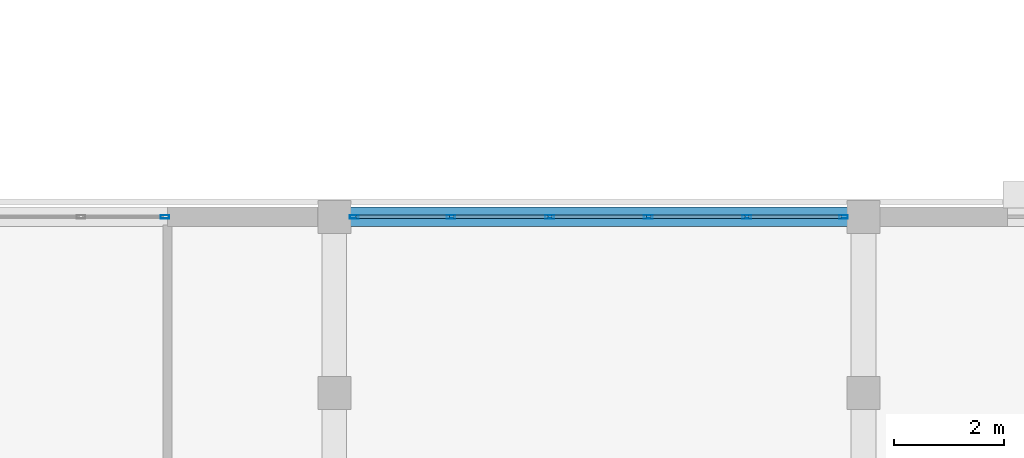
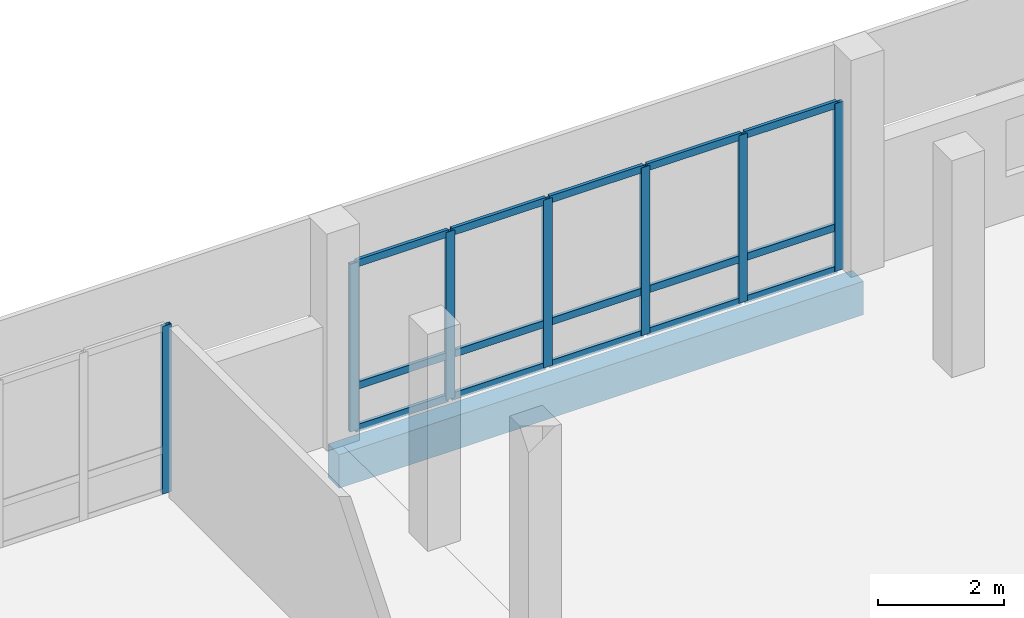
# One storey, part 22 of 93: 22 members, 1 beam, 2 elements without a shape of their own.
"""IFC4 building model written with IfcOpenShell, lengths in metres."""

from ifc_helpers import new_model, si_unit, direction, frame, origin, origin_2d, place, context, subcontext, project, spatial, rectangle, hollow_rectangle, extrude, material, material_profile, profile_set, type_object, element, aggregate, save


model = new_model("IFC4")

# Units and contexts
model_context = context("Model", 3, precision=1e-05, world=origin(), true_north=direction((0.0, 1.0)))
body_context = subcontext(model_context, "Body", "Model", "MODEL_VIEW")
ifc_project = project(units=[si_unit("LENGTHUNIT", "METRE"), si_unit("AREAUNIT", "SQUARE_METRE"), si_unit("VOLUMEUNIT", "CUBIC_METRE"), si_unit("PLANEANGLEUNIT", "RADIAN"), si_unit("MASSUNIT", "GRAM", prefix="KILO")], contexts=[model_context])

# Site, building, storey
site_placement = place(None, origin())
site = spatial("IfcSite", under=ifc_project, at=site_placement, CompositionType="ELEMENT")
building_placement = place(site_placement, origin())
building = spatial("IfcBuilding", under=site, at=building_placement, Name="Vondelvale Polytechnic", CompositionType="ELEMENT")
storey_placement = place(building_placement, frame((0.0, 0.0, 18.0)))
storey = spatial("IfcBuildingStorey", under=building, at=storey_placement, Name="L04", CompositionType="ELEMENT", Elevation=18.0)

# Curtain wall, member
ifc_material_1 = material(Name="Anodised extruded aluminium 6063-T6", Category="aluminium")
curtain_wall_type = type_object("IfcCurtainWallType", Name="CW-STUDIO-NORTH", PredefinedType="NOTDEFINED", material=ifc_material_1)
curtain_wall_1_placement = place(storey_placement, origin())
curtain_wall_1 = element("IfcCurtainWall", 1, at=curtain_wall_1_placement, inside=storey, type_object=curtain_wall_type, Name="L04 architectural curtain wall CW-01-038", PredefinedType="NOTDEFINED")
ifc_material_profile_1 = material_profile(ifc_material_1, hollow_rectangle(XDim=0.06494140625, YDim=0.159912109375, WallThickness=0.0048828125, at=origin_2d()), Name="CW-MUL-160x65")
ifc_profile_set_1 = profile_set([ifc_material_profile_1], Name="Anodised extruded aluminium 6063-T6")
member_type_1 = type_object("IfcMemberType", Name="CW-MUL-65x160", PredefinedType="MULLION", material=ifc_profile_set_1)
member_1_placement = place(storey_placement, frame((16.12744140625, 40.800048828125, 0.0), z_axis=(0.0, 0.0, 1.0), x_axis=(0.0, 1.0, 0.0)))
member_1 = element("IfcMember", 2, at=member_1_placement, type_object=member_type_1, Name="CW-01-038 mullion 5", PredefinedType="MULLION", context=body_context, shape_type="SweptSolid", body=[
    extrude(hollow_rectangle(XDim=0.06494140625, YDim=0.159912109375, WallThickness=0.0048828125, at=origin_2d()), origin(), (0.0, 0.0, 1.0), 3.25),
])
aggregate(curtain_wall_1, [member_1])

# Curtain wall, members
curtain_wall_2_placement = place(storey_placement, origin())
curtain_wall_2 = element("IfcCurtainWall", 3, at=curtain_wall_2_placement, inside=storey, type_object=curtain_wall_type, Name="L04 architectural curtain wall CW-01-039", PredefinedType="NOTDEFINED")
member_2_placement = place(storey_placement, frame((19.5625, 40.800048828125, 0.0), z_axis=(0.0, 0.0, 1.0), x_axis=(0.0, 1.0, 0.0)))
member_2 = element("IfcMember", 4, at=member_2_placement, type_object=member_type_1, Name="CW-01-039 mullion 1", PredefinedType="MULLION", context=body_context, shape_type="SweptSolid", body=[
    extrude(hollow_rectangle(XDim=0.06494140625, YDim=0.159912109375, WallThickness=0.0048828125, at=origin_2d()), origin(), (0.0, 0.0, 1.0), 3.25),
])
member_3_placement = place(storey_placement, frame((21.318115234375, 40.800048828125, 0.0), z_axis=(0.0, 0.0, 1.0), x_axis=(0.0, 1.0, 0.0)))
member_3 = element("IfcMember", 5, at=member_3_placement, type_object=member_type_1, Name="CW-01-039 mullion 2", PredefinedType="MULLION", context=body_context, shape_type="SweptSolid", body=[
    extrude(hollow_rectangle(XDim=0.06494140625, YDim=0.159912109375, WallThickness=0.0048828125, at=origin_2d()), origin(), (0.0, 0.0, 1.0), 3.25),
])
member_4_placement = place(storey_placement, frame((23.10595703125, 40.800048828125, 0.0), z_axis=(0.0, 0.0, 1.0), x_axis=(0.0, 1.0, 0.0)))
member_4 = element("IfcMember", 6, at=member_4_placement, type_object=member_type_1, Name="CW-01-039 mullion 3", PredefinedType="MULLION", context=body_context, shape_type="SweptSolid", body=[
    extrude(hollow_rectangle(XDim=0.06494140625, YDim=0.159912109375, WallThickness=0.0048828125, at=origin_2d()), origin(), (0.0, 0.0, 1.0), 3.25),
])
member_5_placement = place(storey_placement, frame((24.89404296875, 40.800048828125, 0.0), z_axis=(0.0, 0.0, 1.0), x_axis=(0.0, 1.0, 0.0)))
member_5 = element("IfcMember", 7, at=member_5_placement, type_object=member_type_1, Name="CW-01-039 mullion 4", PredefinedType="MULLION", context=body_context, shape_type="SweptSolid", body=[
    extrude(hollow_rectangle(XDim=0.06494140625, YDim=0.159912109375, WallThickness=0.0048828125, at=origin_2d()), origin(), (0.0, 0.0, 1.0), 3.25),
])
member_6_placement = place(storey_placement, frame((26.681884765625, 40.800048828125, 0.0), z_axis=(0.0, 0.0, 1.0), x_axis=(0.0, 1.0, 0.0)))
member_6 = element("IfcMember", 8, at=member_6_placement, type_object=member_type_1, Name="CW-01-039 mullion 5", PredefinedType="MULLION", context=body_context, shape_type="SweptSolid", body=[
    extrude(hollow_rectangle(XDim=0.06494140625, YDim=0.159912109375, WallThickness=0.0048828125, at=origin_2d()), origin(), (0.0, 0.0, 1.0), 3.25),
])
member_7_placement = place(storey_placement, frame((28.4375, 40.800048828125, 0.0), z_axis=(0.0, 0.0, 1.0), x_axis=(0.0, 1.0, 0.0)))
member_7 = element("IfcMember", 9, at=member_7_placement, type_object=member_type_1, Name="CW-01-039 mullion 6", PredefinedType="MULLION", context=body_context, shape_type="SweptSolid", body=[
    extrude(hollow_rectangle(XDim=0.06494140625, YDim=0.159912109375, WallThickness=0.0048828125, at=origin_2d()), origin(), (0.0, 0.0, 1.0), 3.25),
])
ifc_material_profile_2 = material_profile(ifc_material_1, hollow_rectangle(XDim=0.06005859375, YDim=0.139892578125, WallThickness=0.00341796875, at=origin_2d()), Name="CW-TRN-140x60")
ifc_profile_set_2 = profile_set([ifc_material_profile_2], Name="Anodised extruded aluminium 6063-T6")
member_type_2 = type_object("IfcMemberType", Name="CW-TRN-60x140", PredefinedType="USERDEFINED", material=ifc_profile_set_2)
member_8_placement = place(storey_placement, frame((19.594970703125, 40.800048828125, 0.030029296875), z_axis=(1.0, 0.0, 0.0), x_axis=(0.0, 1.0, 0.0)))
member_8 = element("IfcMember", 10, at=member_8_placement, type_object=member_type_2, Name="CW-01-039 transom 1.1", ObjectType="TRANSOM", PredefinedType="USERDEFINED", context=body_context, shape_type="SweptSolid", body=[
    extrude(hollow_rectangle(XDim=0.06005859375, YDim=0.139892578125, WallThickness=0.00341796875, at=origin_2d()), origin(), (0.0, 0.0, 1.0), 1.6904296875),
])
member_9_placement = place(storey_placement, frame((19.594970703125, 40.800048828125, 0.85009765625), z_axis=(1.0, 0.0, 0.0), x_axis=(0.0, 1.0, 0.0)))
member_9 = element("IfcMember", 11, at=member_9_placement, type_object=member_type_2, Name="CW-01-039 transom 1.2", ObjectType="TRANSOM", PredefinedType="USERDEFINED", context=body_context, shape_type="SweptSolid", body=[
    extrude(hollow_rectangle(XDim=0.06005859375, YDim=0.139892578125, WallThickness=0.00341796875, at=origin_2d()), origin(), (0.0, 0.0, 1.0), 1.6904296875),
])
member_10_placement = place(storey_placement, frame((19.594970703125, 40.800048828125, 3.219970703125), z_axis=(1.0, 0.0, 0.0), x_axis=(0.0, 1.0, 0.0)))
member_10 = element("IfcMember", 12, at=member_10_placement, type_object=member_type_2, Name="CW-01-039 transom 1.3", ObjectType="TRANSOM", PredefinedType="USERDEFINED", context=body_context, shape_type="SweptSolid", body=[
    extrude(hollow_rectangle(XDim=0.06005859375, YDim=0.139892578125, WallThickness=0.00341796875, at=origin_2d()), origin(), (0.0, 0.0, 1.0), 1.6904296875),
])
member_11_placement = place(storey_placement, frame((21.3505859375, 40.800048828125, 0.030029296875), z_axis=(1.0, 0.0, 0.0), x_axis=(0.0, 1.0, 0.0)))
member_11 = element("IfcMember", 13, at=member_11_placement, type_object=member_type_2, Name="CW-01-039 transom 2.1", ObjectType="TRANSOM", PredefinedType="USERDEFINED", context=body_context, shape_type="SweptSolid", body=[
    extrude(hollow_rectangle(XDim=0.06005859375, YDim=0.139892578125, WallThickness=0.00341796875, at=origin_2d()), origin(), (0.0, 0.0, 1.0), 1.722900390625),
])
member_12_placement = place(storey_placement, frame((21.3505859375, 40.800048828125, 0.85009765625), z_axis=(1.0, 0.0, 0.0), x_axis=(0.0, 1.0, 0.0)))
member_12 = element("IfcMember", 14, at=member_12_placement, type_object=member_type_2, Name="CW-01-039 transom 2.2", ObjectType="TRANSOM", PredefinedType="USERDEFINED", context=body_context, shape_type="SweptSolid", body=[
    extrude(hollow_rectangle(XDim=0.06005859375, YDim=0.139892578125, WallThickness=0.00341796875, at=origin_2d()), origin(), (0.0, 0.0, 1.0), 1.722900390625),
])
member_13_placement = place(storey_placement, frame((21.3505859375, 40.800048828125, 3.219970703125), z_axis=(1.0, 0.0, 0.0), x_axis=(0.0, 1.0, 0.0)))
member_13 = element("IfcMember", 15, at=member_13_placement, type_object=member_type_2, Name="CW-01-039 transom 2.3", ObjectType="TRANSOM", PredefinedType="USERDEFINED", context=body_context, shape_type="SweptSolid", body=[
    extrude(hollow_rectangle(XDim=0.06005859375, YDim=0.139892578125, WallThickness=0.00341796875, at=origin_2d()), origin(), (0.0, 0.0, 1.0), 1.722900390625),
])
member_14_placement = place(storey_placement, frame((23.138427734375, 40.800048828125, 0.030029296875), z_axis=(1.0, 0.0, 0.0), x_axis=(0.0, 1.0, 0.0)))
member_14 = element("IfcMember", 16, at=member_14_placement, type_object=member_type_2, Name="CW-01-039 transom 3.1", ObjectType="TRANSOM", PredefinedType="USERDEFINED", context=body_context, shape_type="SweptSolid", body=[
    extrude(hollow_rectangle(XDim=0.06005859375, YDim=0.139892578125, WallThickness=0.00341796875, at=origin_2d()), origin(), (0.0, 0.0, 1.0), 1.72314453125),
])
member_15_placement = place(storey_placement, frame((23.138427734375, 40.800048828125, 0.85009765625), z_axis=(1.0, 0.0, 0.0), x_axis=(0.0, 1.0, 0.0)))
member_15 = element("IfcMember", 17, at=member_15_placement, type_object=member_type_2, Name="CW-01-039 transom 3.2", ObjectType="TRANSOM", PredefinedType="USERDEFINED", context=body_context, shape_type="SweptSolid", body=[
    extrude(hollow_rectangle(XDim=0.06005859375, YDim=0.139892578125, WallThickness=0.00341796875, at=origin_2d()), origin(), (0.0, 0.0, 1.0), 1.72314453125),
])
member_16_placement = place(storey_placement, frame((23.138427734375, 40.800048828125, 3.219970703125), z_axis=(1.0, 0.0, 0.0), x_axis=(0.0, 1.0, 0.0)))
member_16 = element("IfcMember", 18, at=member_16_placement, type_object=member_type_2, Name="CW-01-039 transom 3.3", ObjectType="TRANSOM", PredefinedType="USERDEFINED", context=body_context, shape_type="SweptSolid", body=[
    extrude(hollow_rectangle(XDim=0.06005859375, YDim=0.139892578125, WallThickness=0.00341796875, at=origin_2d()), origin(), (0.0, 0.0, 1.0), 1.72314453125),
])
member_17_placement = place(storey_placement, frame((24.926513671875, 40.800048828125, 0.030029296875), z_axis=(1.0, 0.0, 0.0), x_axis=(0.0, 1.0, 0.0)))
member_17 = element("IfcMember", 19, at=member_17_placement, type_object=member_type_2, Name="CW-01-039 transom 4.1", ObjectType="TRANSOM", PredefinedType="USERDEFINED", context=body_context, shape_type="SweptSolid", body=[
    extrude(hollow_rectangle(XDim=0.06005859375, YDim=0.139892578125, WallThickness=0.00341796875, at=origin_2d()), origin(), (0.0, 0.0, 1.0), 1.722900390625),
])
member_18_placement = place(storey_placement, frame((24.926513671875, 40.800048828125, 0.85009765625), z_axis=(1.0, 0.0, 0.0), x_axis=(0.0, 1.0, 0.0)))
member_18 = element("IfcMember", 20, at=member_18_placement, type_object=member_type_2, Name="CW-01-039 transom 4.2", ObjectType="TRANSOM", PredefinedType="USERDEFINED", context=body_context, shape_type="SweptSolid", body=[
    extrude(hollow_rectangle(XDim=0.06005859375, YDim=0.139892578125, WallThickness=0.00341796875, at=origin_2d()), origin(), (0.0, 0.0, 1.0), 1.722900390625),
])
member_19_placement = place(storey_placement, frame((24.926513671875, 40.800048828125, 3.219970703125), z_axis=(1.0, 0.0, 0.0), x_axis=(0.0, 1.0, 0.0)))
member_19 = element("IfcMember", 21, at=member_19_placement, type_object=member_type_2, Name="CW-01-039 transom 4.3", ObjectType="TRANSOM", PredefinedType="USERDEFINED", context=body_context, shape_type="SweptSolid", body=[
    extrude(hollow_rectangle(XDim=0.06005859375, YDim=0.139892578125, WallThickness=0.00341796875, at=origin_2d()), origin(), (0.0, 0.0, 1.0), 1.722900390625),
])
member_20_placement = place(storey_placement, frame((26.714599609375, 40.800048828125, 0.030029296875), z_axis=(1.0, 0.0, 0.0), x_axis=(0.0, 1.0, 0.0)))
member_20 = element("IfcMember", 22, at=member_20_placement, type_object=member_type_2, Name="CW-01-039 transom 5.1", ObjectType="TRANSOM", PredefinedType="USERDEFINED", context=body_context, shape_type="SweptSolid", body=[
    extrude(hollow_rectangle(XDim=0.06005859375, YDim=0.139892578125, WallThickness=0.00341796875, at=origin_2d()), origin(), (0.0, 0.0, 1.0), 1.6904296875),
])
member_21_placement = place(storey_placement, frame((26.714599609375, 40.800048828125, 0.85009765625), z_axis=(1.0, 0.0, 0.0), x_axis=(0.0, 1.0, 0.0)))
member_21 = element("IfcMember", 23, at=member_21_placement, type_object=member_type_2, Name="CW-01-039 transom 5.2", ObjectType="TRANSOM", PredefinedType="USERDEFINED", context=body_context, shape_type="SweptSolid", body=[
    extrude(hollow_rectangle(XDim=0.06005859375, YDim=0.139892578125, WallThickness=0.00341796875, at=origin_2d()), origin(), (0.0, 0.0, 1.0), 1.6904296875),
])
member_22_placement = place(storey_placement, frame((26.714599609375, 40.800048828125, 3.219970703125), z_axis=(1.0, 0.0, 0.0), x_axis=(0.0, 1.0, 0.0)))
member_22 = element("IfcMember", 24, at=member_22_placement, type_object=member_type_2, Name="CW-01-039 transom 5.3", ObjectType="TRANSOM", PredefinedType="USERDEFINED", context=body_context, shape_type="SweptSolid", body=[
    extrude(hollow_rectangle(XDim=0.06005859375, YDim=0.139892578125, WallThickness=0.00341796875, at=origin_2d()), origin(), (0.0, 0.0, 1.0), 1.6904296875),
])
aggregate(curtain_wall_2, [member_2, member_3, member_4, member_5, member_6, member_7, member_8, member_9, member_10, member_11, member_12, member_13, member_14, member_15, member_16, member_17, member_18, member_19, member_20, member_21, member_22])

# Beam
ifc_material_2 = material(Name="Precast concrete N40 (f'c = 40 MPa)", Category="concrete")
ifc_material_profile_3 = material_profile(ifc_material_2, rectangle(XDim=0.35009765625, YDim=0.64990234375, at=origin_2d()), Name="RC-SPN-350x650")
ifc_profile_set_3 = profile_set([ifc_material_profile_3], Name="Precast concrete N40 (f'c = 40 MPa)")
beam_type = type_object("IfcBeamType", Name="SPN-PRE350x650", PredefinedType="SPANDREL", material=ifc_profile_set_3)
beam_placement = place(storey_placement, frame((19.199951171875, 40.800048828125, -0.574951171875), z_axis=(1.0, 0.0, 0.0), x_axis=(0.0, 1.0, 0.0)))
element("IfcBeam", 25, at=beam_placement, inside=storey, type_object=beam_type, Name="L04 B SP-02", PredefinedType="SPANDREL", context=body_context, shape_type="SweptSolid", body=[
    extrude(rectangle(XDim=0.35009765625, YDim=0.64990234375, at=origin_2d()), origin(), (0.0, 0.0, 1.0), 9.60009765625),
])

save(model, "model.ifc")
